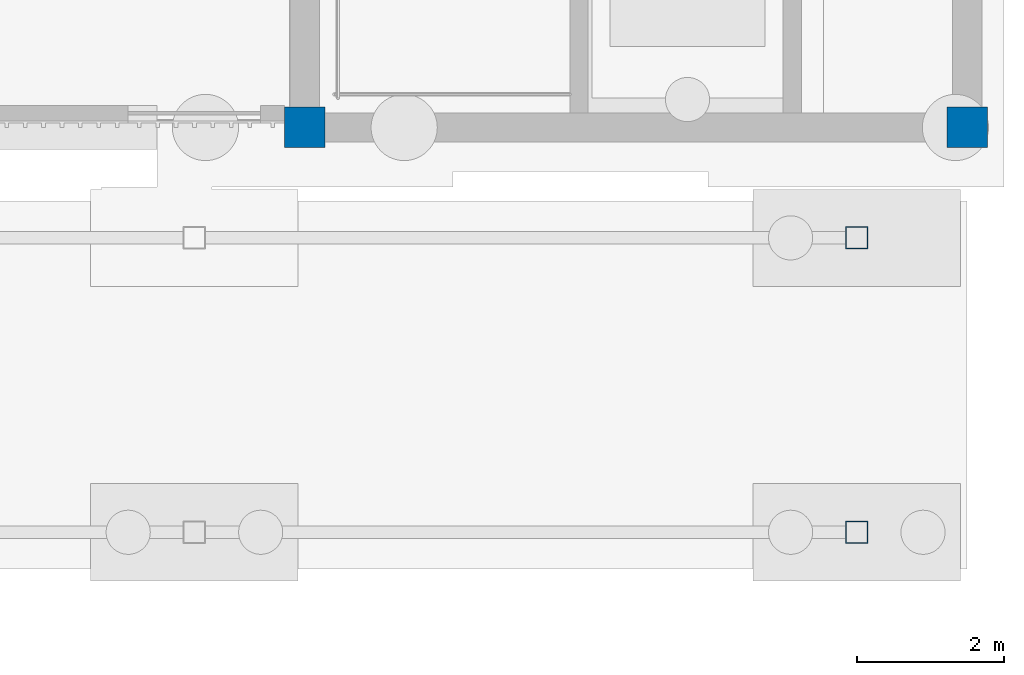
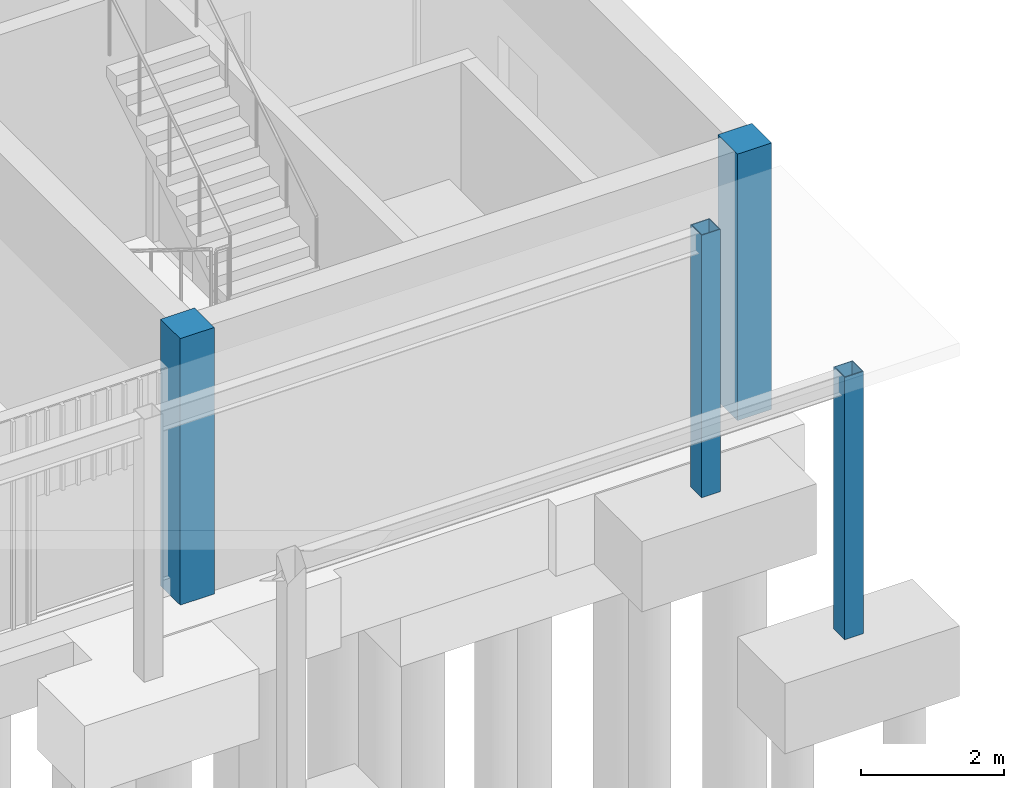
# One storey, part 15 of 106: 4 columns.
"""IFC4 building model written with IfcOpenShell, lengths in metres."""

import ifcopenshell
import ifcopenshell.guid

model = None  # the IFC model being written
_history = None  # IfcOwnerHistory: only IFC2X3 demands one
_inside = {}  # id of a spatial element -> (the spatial element, [elements in it])
_under = {}  # id of a project, library or spatial element -> (it, [spatial elements below it])
_declared = {}  # id of a project -> (the project, [libraries it declares])
_typed = {}  # id of a type object -> (the type object, [elements of that type])
_made_of = {}  # id of a material, layer set ... -> (it, [elements and type objects made of it])


def new_model(schema):
    """Start an empty IFC model of exactly this schema.

    Asked for "IFC4X3", IfcOpenShell would pick the latest addendum, in which some entities
    have other attributes; the version numbers below select the first issue.
    IFC2X3 requires an IfcOwnerHistory on every rooted entity: one is made here for all.
    """
    global model, _history
    if schema == "IFC4X3":
        model = ifcopenshell.file(schema_version=(4, 3, 0, 0))
    else:
        model = ifcopenshell.file(schema=schema)
    _inside.clear()
    _under.clear()
    _declared.clear()
    _typed.clear()
    _made_of.clear()
    _history = None
    if model.schema == "IFC2X3":
        org = make("IfcOrganization", Name="unknown")
        user = make(
            "IfcPersonAndOrganization",
            ThePerson=make("IfcPerson", FamilyName="unknown"),
            TheOrganization=org,
        )
        app = make(
            "IfcApplication",
            ApplicationDeveloper=org,
            Version="unknown",
            ApplicationFullName="unknown",
            ApplicationIdentifier="unknown",
        )
        _history = make(
            "IfcOwnerHistory",
            OwningUser=user,
            OwningApplication=app,
            ChangeAction="ADDED",
            CreationDate=0,
        )
    return model


def make(cls, **values):
    """One entity of the class cls with the attributes given. An attribute that is None is left unset."""
    return model.create_entity(
        cls, **{name: value for name, value in values.items() if value is not None}
    )


def rooted(cls, **values):
    """An entity with a GlobalId (a new one), such as an element, a storey or a relation."""
    return make(cls, GlobalId=ifcopenshell.guid.new(), OwnerHistory=_history, **values)


def si_unit(unit_type, name, prefix=None):
    """IfcSIUnit, for example si_unit("LENGTHUNIT", "METRE", prefix="MILLI")."""
    return make("IfcSIUnit", UnitType=unit_type, Prefix=prefix, Name=name)


def assignment(units):
    """IfcUnitAssignment: the units of a project."""
    return None if units is None else make("IfcUnitAssignment", Units=units)


def point(xyz):
    """IfcCartesianPoint."""
    return None if xyz is None else make("IfcCartesianPoint", Coordinates=xyz)


def direction(xyz):
    """IfcDirection."""
    return None if xyz is None else make("IfcDirection", DirectionRatios=xyz)


def frame(location, z_axis=None, x_axis=None):
    """IfcAxis2Placement3D, a coordinate frame: its origin and axes. An axis left out is left unset."""
    return make(
        "IfcAxis2Placement3D",
        Location=point(location),
        Axis=direction(z_axis),
        RefDirection=direction(x_axis),
    )


def frame_2d(location, x_axis=None):
    """IfcAxis2Placement2D, a coordinate frame in the plane: its origin and x axis."""
    return make(
        "IfcAxis2Placement2D", Location=point(location), RefDirection=direction(x_axis)
    )


def origin():
    """The frame at (0, 0, 0) with its axes left unset."""
    return frame((0.0, 0.0, 0.0))


def origin_2d():
    """The frame at (0, 0) in the plane with its x axis left unset."""
    return frame_2d((0.0, 0.0))


def place(relative_to, where):
    """IfcLocalPlacement: puts the frame where relative to a parent placement (None: the world)."""
    return make(
        "IfcLocalPlacement", PlacementRelTo=relative_to, RelativePlacement=where
    )


def context(
    kind, dimensions, precision=None, world=None, true_north=None, identifier=None
):
    """IfcGeometricRepresentationContext, for example the 3D "Model" context."""
    return make(
        "IfcGeometricRepresentationContext",
        ContextIdentifier=identifier,
        ContextType=kind,
        CoordinateSpaceDimension=dimensions,
        Precision=precision,
        WorldCoordinateSystem=world,
        TrueNorth=true_north,
    )


def subcontext(parent, identifier, kind, view, scale=None):
    """IfcGeometricRepresentationSubContext, for example "Body" below "Model"."""
    return make(
        "IfcGeometricRepresentationSubContext",
        ContextIdentifier=identifier,
        ContextType=kind,
        ParentContext=parent,
        TargetScale=scale,
        TargetView=view,
    )


def project(units=None, contexts=None):
    """IfcProject with its units and contexts."""
    return rooted(
        "IfcProject",
        Name="project",
        RepresentationContexts=contexts,
        UnitsInContext=assignment(units),
    )


def spatial(cls, under=None, at=None, **own):
    """A site, building, storey or space (cls), placed at a placement, below another one or the project."""
    s = rooted(cls, ObjectPlacement=at, **own)
    if under is not None:
        _under.setdefault(under.id(), (under, []))[1].append(s)
    return s


def profile(cls, at=None, kind="AREA", **sizes):
    """A parametric profile (cls). Its sizes go by their IFC names, for example OverallWidth=200.0."""
    return make(cls, ProfileType=kind, Position=at, **sizes)


def rectangle(**sizes):
    """IfcRectangleProfileDef."""
    return profile("IfcRectangleProfileDef", **sizes)


def hollow_rectangle(**sizes):
    """IfcRectangleHollowProfileDef."""
    return profile("IfcRectangleHollowProfileDef", **sizes)


def extrude(swept, where, along, depth):
    """IfcExtrudedAreaSolid: the profile swept, set in the frame where, extruded along a direction by depth."""
    return make(
        "IfcExtrudedAreaSolid",
        SweptArea=swept,
        Position=where,
        ExtrudedDirection=direction(along),
        Depth=depth,
    )


def shape(context_of_items, identifier, shape_type, items):
    """IfcShapeRepresentation: the items that make up one representation, for example the "Body"."""
    return make(
        "IfcShapeRepresentation",
        ContextOfItems=context_of_items,
        RepresentationIdentifier=identifier,
        RepresentationType=shape_type,
        Items=items,
    )


def material(Name=None, Category=None):
    """IfcMaterial."""
    return make("IfcMaterial", Name=Name, Category=Category)


def material_profile(
    of_material, cross_section, Name=None, Category=None, Priority=None
):
    """IfcMaterialProfile: a cross section and its material."""
    return make(
        "IfcMaterialProfile",
        Name=Name,
        Material=of_material,
        Profile=cross_section,
        Priority=Priority,
        Category=Category,
    )


def profile_set(profiles, Name=None, composite=None):
    """IfcMaterialProfileSet."""
    return make(
        "IfcMaterialProfileSet",
        Name=Name,
        MaterialProfiles=profiles,
        CompositeProfile=composite,
    )


def made_of(thing, what):
    """Note that an element or type object is made of a material, layer set ...; save() writes the relation."""
    if what is not None:
        _made_of.setdefault(what.id(), (what, []))[1].append(thing)
    return thing


def type_object(cls, material=None, **own):
    """A type object (cls), such as IfcWallType, which elements share."""
    return made_of(rooted(cls, **own), material)


def element(
    cls,
    number,
    at=None,
    inside=None,
    cuts=None,
    type_object=None,
    material=None,
    context=None,
    identifier="Body",
    shape_type=None,
    held_by="IfcProductDefinitionShape",
    body=None,
    shapes=None,
    **own,
):
    """One element of the class cls, such as IfcWall. Its Tag is "e" and its number.

    at: its placement. inside: the storey or other place that contains it. cuts: it is an
    opening in that element (IfcRelVoidsElement). A single representation is given by context,
    identifier, shape_type and body (its items); several are given by shapes. held_by: the class
    of the entity that holds the representations. save() writes the other relations.
    """
    e = rooted(cls, Tag="e%d" % number, ObjectPlacement=at, **own)
    if body is not None:
        shapes = [shape(context, identifier, shape_type, body)]
    if shapes is not None:
        e.Representation = make(held_by, Representations=shapes)
    if inside is not None:
        _inside.setdefault(inside.id(), (inside, []))[1].append(e)
    if cuts is not None:
        rooted(
            "IfcRelVoidsElement", RelatingBuildingElement=cuts, RelatedOpeningElement=e
        )
    if type_object is not None:
        _typed.setdefault(type_object.id(), (type_object, []))[1].append(e)
    return made_of(e, material)


def aggregate(whole, parts):
    """IfcRelAggregates: a whole, such as a stair, and the parts it consists of."""
    return rooted("IfcRelAggregates", RelatingObject=whole, RelatedObjects=parts)


def save(model, path):
    """Write the relations noted so far, then the file.

    IfcRelAggregates (storeys below a building ...), IfcRelContainedInSpatialStructure (elements
    in a storey), IfcRelDefinesByType, IfcRelAssociatesMaterial and IfcRelDeclares: one each for
    every whole, place, type object, material and project.
    """
    for whole, parts in _under.values():
        aggregate(whole, parts)
    for where, things in _inside.values():
        rooted(
            "IfcRelContainedInSpatialStructure",
            RelatedElements=things,
            RelatingStructure=where,
        )
    for kind, things in _typed.values():
        rooted("IfcRelDefinesByType", RelatedObjects=things, RelatingType=kind)
    for what, things in _made_of.values():
        rooted("IfcRelAssociatesMaterial", RelatedObjects=things, RelatingMaterial=what)
    for by, libraries in _declared.values():
        rooted("IfcRelDeclares", RelatingContext=by, RelatedDefinitions=libraries)
    model.write(path)


model = new_model("IFC4")

# Units and contexts
model_context = context("Model", 3, precision=1e-05, world=origin(), true_north=direction((0.0, 1.0)))
body_context = subcontext(model_context, "Body", "Model", "MODEL_VIEW")
ifc_project = project(units=[si_unit("LENGTHUNIT", "METRE"), si_unit("AREAUNIT", "SQUARE_METRE"), si_unit("VOLUMEUNIT", "CUBIC_METRE"), si_unit("PLANEANGLEUNIT", "RADIAN"), si_unit("MASSUNIT", "GRAM", prefix="KILO")], contexts=[model_context])

# Site, building, storey
site_placement = place(None, origin())
site = spatial("IfcSite", under=ifc_project, at=site_placement, CompositionType="ELEMENT")
building_placement = place(site_placement, origin())
building = spatial("IfcBuilding", under=site, at=building_placement, Name="Merrow Basin Faculty of Sciences", CompositionType="ELEMENT")
storey_placement = place(building_placement, origin())
storey = spatial("IfcBuildingStorey", under=building, at=storey_placement, Name="L00", CompositionType="ELEMENT", Elevation=0.0)

# Columns
ifc_material_1 = material(Name="Steel ASTM A500 Gr C", Category="steel")
ifc_material_profile_1 = material_profile(ifc_material_1, hollow_rectangle(XDim=0.304931640625, YDim=0.304931640625, WallThickness=0.0126953125, at=origin_2d()))
ifc_profile_set_1 = profile_set([ifc_material_profile_1], Name="Steel ASTM A500 Gr C")
column_type_1 = type_object("IfcColumnType", Name="Canopy column HSS305x305x12.7", PredefinedType="COLUMN", material=ifc_profile_set_1)
for number, where, z_axis, x_axis, name in (
    (1, (70.5, 55.5, -0.300048828125), (0.0, 0.0, 1.0), (1.0, 0.0, 0.0), "Canopy column P1"),
    (2, (70.5, 59.5, -0.300048828125), (0.0, 0.0, 1.0), (1.0, 0.0, 0.0), "Canopy column P1"),
):
    element("IfcColumn", number, at=place(storey_placement, frame(where, z_axis=z_axis, x_axis=x_axis)), inside=storey, type_object=column_type_1, Name=name, PredefinedType="COLUMN", context=body_context, shape_type="SweptSolid", body=[
        extrude(hollow_rectangle(XDim=0.304931640625, YDim=0.304931640625, WallThickness=0.0126953125, at=origin_2d()), origin(), (0.0, 0.0, 1.0), 4.47998046875),
    ])
ifc_material_2 = material(Name="Concrete C40/50", Category="concrete")
ifc_material_profile_2 = material_profile(ifc_material_2, rectangle(XDim=0.550048828125, YDim=0.550048828125, at=origin_2d()))
ifc_profile_set_2 = profile_set([ifc_material_profile_2], Name="Concrete C40/50")
column_type_2 = type_object("IfcColumnType", Name="Column RC550x550 C40/50", PredefinedType="COLUMN", material=ifc_profile_set_2)
for number, where, z_axis, x_axis, name in (
    (3, (63.0, 61.0, -0.300048828125), (0.0, 0.0, 1.0), (1.0, 0.0, 0.0), "Column H1 L00"),
    (4, (72.0, 61.0, -0.300048828125), (0.0, 0.0, 1.0), (1.0, 0.0, 0.0), "Column J1 L00"),
):
    element("IfcColumn", number, at=place(storey_placement, frame(where, z_axis=z_axis, x_axis=x_axis)), inside=storey, type_object=column_type_2, Name=name, PredefinedType="COLUMN", context=body_context, shape_type="SweptSolid", body=[
        extrude(rectangle(XDim=0.550048828125, YDim=0.550048828125, at=origin_2d()), origin(), (0.0, 0.0, 1.0), 4.550048828125),
    ])

save(model, "model.ifc")
